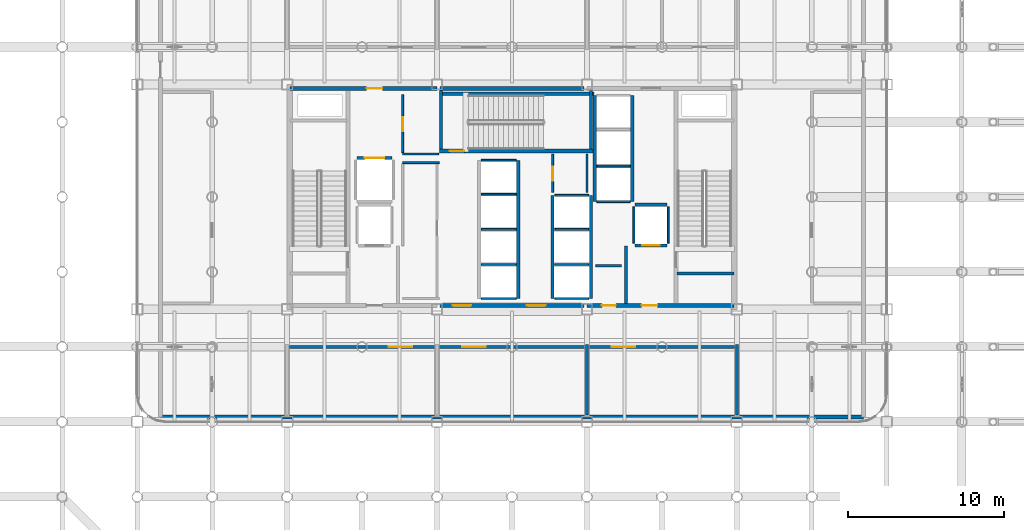
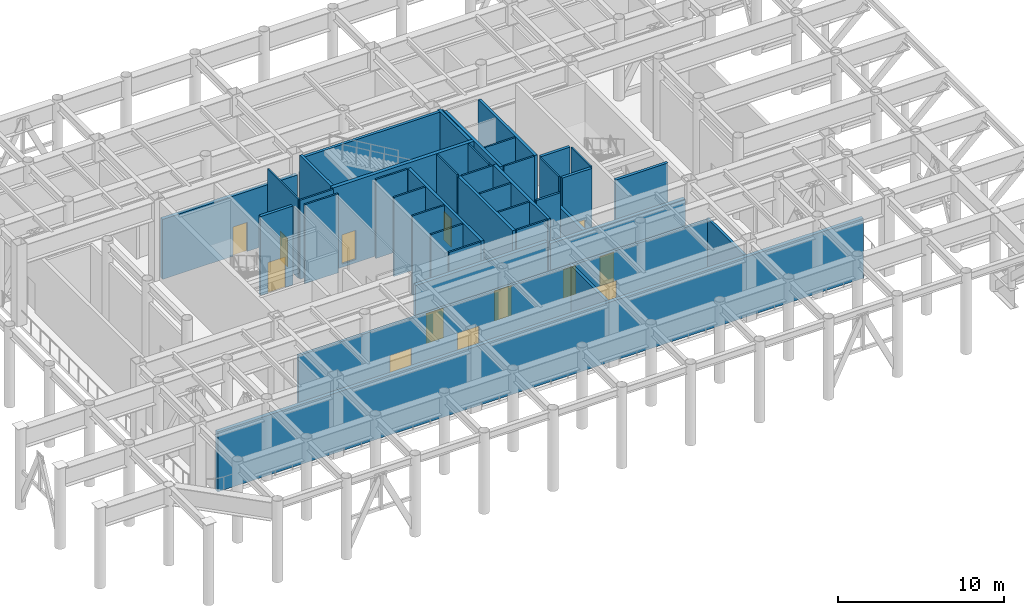
# One storey, part 15 of 20: 41 walls, 13 doors, 13 openings.
"""IFC4 building model written with IfcOpenShell, lengths in metres."""

from ifc_helpers import new_model, si_unit, direction, frame, frame_2d, origin, place, context, subcontext, project, spatial, rectangle, extrude, material, layer, layer_set, type_object, element, fill, save


model = new_model("IFC4")

# Units and contexts
model_context = context("Model", 3, precision=1e-05, world=origin(), true_north=direction((0.0, 1.0)))
body_context = subcontext(model_context, "Body", "Model", "MODEL_VIEW")
ifc_project = project(units=[si_unit("LENGTHUNIT", "METRE"), si_unit("AREAUNIT", "SQUARE_METRE"), si_unit("VOLUMEUNIT", "CUBIC_METRE"), si_unit("PLANEANGLEUNIT", "RADIAN"), si_unit("MASSUNIT", "GRAM", prefix="KILO")], contexts=[model_context])

# Site, building, storey
site_placement = place(None, origin())
site = spatial("IfcSite", under=ifc_project, at=site_placement, CompositionType="ELEMENT")
building_placement = place(site_placement, origin())
building = spatial("IfcBuilding", under=site, at=building_placement, Name="Kallvorn Hotel Tower", CompositionType="ELEMENT")
storey_placement = place(building_placement, frame((0.0, 0.0, 185.5)))
storey = spatial("IfcBuildingStorey", under=building, at=storey_placement, Name="L46", CompositionType="ELEMENT", Elevation=185.5)

# Wall, openings, doors
ifc_material_1 = material(Name="Fire-rated double-layer acoustic gypsum drywall EI 60")
ifc_layer_1 = layer(ifc_material_1, 0.179931640625)
ifc_layer_set_1 = layer_set([ifc_layer_1], Name="WL_CORR_180")
wall_type_1 = type_object("IfcWallType", Name="WL_CORR_180", PredefinedType="PARTITIONING", material=ifc_layer_set_1)
wall_1_placement = place(storey_placement, frame((-14.25, -9.60009765625, 0.0), z_axis=(0.0, 0.0, 1.0), x_axis=(1.0, 0.0, 0.0)))
wall_1 = element("IfcWall", 1, at=wall_1_placement, inside=storey, type_object=wall_type_1, Name="L46 L46 Pressurised Fire Refuge Area South Partition", PredefinedType="PARTITIONING", context=body_context, shape_type="SweptSolid", body=[
    extrude(rectangle(XDim=28.5, YDim=0.179931640625, at=frame_2d((14.25, 0.0))), origin(), (0.0, 0.0, 1.0), 4.419921875),
])
opening_1_placement = place(wall_1_placement, frame((6.35400390625, 0.0, 0.0)))
opening_1 = element("IfcOpeningElement", 2, at=opening_1_placement, cuts=wall_1, Name="Opening PD1", PredefinedType="OPENING", context=body_context, shape_type="SweptSolid", body=[
    extrude(rectangle(XDim=1.5, YDim=2.199951171875, at=frame_2d((0.75, 1.10009765625))), frame((0.0, 0.104736328125, 0.0), z_axis=(0.0, -1.0, 0.0), x_axis=(1.0, 0.0, 0.0)), (0.0, 0.0, 1.0), 0.2099609375),
])
opening_2_placement = place(wall_1_placement, frame((11.056396484375, 0.0, 0.0)))
opening_2 = element("IfcOpeningElement", 3, at=opening_2_placement, cuts=wall_1, Name="Opening PD1", PredefinedType="OPENING", context=body_context, shape_type="SweptSolid", body=[
    extrude(rectangle(XDim=1.5, YDim=2.199951171875, at=frame_2d((0.75, 1.10009765625))), frame((0.0, 0.104736328125, 0.0), z_axis=(0.0, -1.0, 0.0), x_axis=(1.0, 0.0, 0.0)), (0.0, 0.0, 1.0), 0.2099609375),
])
opening_3_placement = place(wall_1_placement, frame((20.64599609375, 0.0, 0.0)))
opening_3 = element("IfcOpeningElement", 4, at=opening_3_placement, cuts=wall_1, Name="Opening PD1", PredefinedType="OPENING", context=body_context, shape_type="SweptSolid", body=[
    extrude(rectangle(XDim=1.5, YDim=2.199951171875, at=frame_2d((0.75, 1.10009765625))), frame((0.0, 0.104736328125, 0.0), z_axis=(0.0, -1.0, 0.0), x_axis=(1.0, 0.0, 0.0)), (0.0, 0.0, 1.0), 0.2099609375),
])
ifc_material_2 = material(Name="Galvanised painted steel fire-rated door assembly", Category="steel")
door_type_1 = type_object("IfcDoorType", Name="DR_PLANT_1500x2200", OperationType="DOUBLE_DOOR_SINGLE_SWING", PredefinedType="DOOR", material=ifc_material_2)
door_1_placement = place(opening_1_placement, origin())
door_1 = element("IfcDoor", 5, at=door_1_placement, inside=storey, type_object=door_type_1, Name="L46 L46 Pressurised Fire Refuge Area South Door", OperationType="DOUBLE_DOOR_SINGLE_SWING", OverallHeight=2.199951171875, OverallWidth=1.5, PredefinedType="DOOR", context=body_context, shape_type="SweptSolid", body=[
    extrude(rectangle(XDim=1.5, YDim=2.199951171875, at=frame_2d((0.75, 1.10009765625))), frame((0.0, 0.02490234375, 0.0), z_axis=(0.0, -1.0, 0.0), x_axis=(1.0, 0.0, 0.0)), (0.0, 0.0, 1.0), 0.050048828125),
])
fill(opening_1, door_1)
door_2_placement = place(opening_2_placement, origin())
door_2 = element("IfcDoor", 6, at=door_2_placement, inside=storey, type_object=door_type_1, Name="L46 L46 Air Handling and Ventilation Fan Plant Door", OperationType="DOUBLE_DOOR_SINGLE_SWING", OverallHeight=2.199951171875, OverallWidth=1.5, PredefinedType="DOOR", context=body_context, shape_type="SweptSolid", body=[
    extrude(rectangle(XDim=1.5, YDim=2.199951171875, at=frame_2d((0.75, 1.10009765625))), frame((0.0, 0.02490234375, 0.0), z_axis=(0.0, -1.0, 0.0), x_axis=(1.0, 0.0, 0.0)), (0.0, 0.0, 1.0), 0.050048828125),
])
fill(opening_2, door_2)
door_3_placement = place(opening_3_placement, origin())
door_3 = element("IfcDoor", 7, at=door_3_placement, inside=storey, type_object=door_type_1, Name="L46 L46 Chilled-Water Heat Exchanger Plant Door", OperationType="DOUBLE_DOOR_SINGLE_SWING", OverallHeight=2.199951171875, OverallWidth=1.5, PredefinedType="DOOR", context=body_context, shape_type="SweptSolid", body=[
    extrude(rectangle(XDim=1.5, YDim=2.199951171875, at=frame_2d((0.75, 1.10009765625))), frame((0.0, 0.02490234375, 0.0), z_axis=(0.0, -1.0, 0.0), x_axis=(1.0, 0.0, 0.0)), (0.0, 0.0, 1.0), 0.050048828125),
])
fill(opening_3, door_3)

# Walls
for number, where, z_axis, x_axis, name in (
    (8, (4.800048828125, -13.945068359375, 0.0), (0.0, 0.0, 1.0), (0.0, 1.0, 0.0), "L46 L46 Air Handling and Ventilation Fan Plant Partition"),
    (9, (14.39990234375, -13.945068359375, 0.0), (0.0, 0.0, 1.0), (0.0, 1.0, 0.0), "L46 L46 Chilled-Water Heat Exchanger Plant Partition"),
):
    element("IfcWall", number, at=place(storey_placement, frame(where, z_axis=z_axis, x_axis=x_axis)), inside=storey, type_object=wall_type_1, Name=name, PredefinedType="PARTITIONING", context=body_context, shape_type="SweptSolid", body=[
        extrude(rectangle(XDim=4.4951171875, YDim=0.179931640625, at=frame_2d((2.24755859375, 0.0))), origin(), (0.0, 0.0, 1.0), 4.419921875),
    ])
ifc_material_3 = material(Name="Precast basalt-clad insulated concrete wall C40/50", Category="masonry")
ifc_layer_2 = layer(ifc_material_3, 0.25)
ifc_layer_set_2 = layer_set([ifc_layer_2], Name="WL_EXT_HUB_250")
wall_type_2 = type_object("IfcWallType", Name="WL_EXT_HUB_250", PredefinedType="SOLIDWALL", material=ifc_layer_set_2)
wall_2_placement = place(storey_placement, frame((22.5, -14.080078125, 0.0), z_axis=(0.0, 0.0, 1.0), x_axis=(-1.0, 0.0, 0.0)))
element("IfcWall", 10, at=wall_2_placement, inside=storey, type_object=wall_type_2, Name="L46 Wind-Hub Acoustic Enclosure Wall S", PredefinedType="SOLIDWALL", context=body_context, shape_type="SweptSolid", body=[
    extrude(rectangle(XDim=45.0, YDim=0.25, at=frame_2d((22.5, 0.0))), origin(), (0.0, 0.0, 1.0), 4.419921875),
])
ifc_material_4 = material(Name="Concrete C40/50", Category="concrete")
ifc_layer_3 = layer(ifc_material_4, 0.219970703125)
ifc_layer_set_3 = layer_set([ifc_layer_3], Name="WL_FFL_220")
wall_type_3 = type_object("IfcWallType", Name="WL_FFL_220", PredefinedType="SOLIDWALL", material=ifc_layer_set_3)
wall_3_placement = place(storey_placement, frame((7.300048828125, -6.820068359375, 0.0), z_axis=(0.0, 0.0, 1.0), x_axis=(0.0, 1.0, 0.0)))
element("IfcWall", 11, at=wall_3_placement, inside=storey, type_object=wall_type_3, Name="L46 Firefighting Lobby East Divider Wall", PredefinedType="SOLIDWALL", context=body_context, shape_type="SweptSolid", body=[
    extrude(rectangle(XDim=3.670166015625, YDim=0.219970703125, at=frame_2d((1.8349609375, 0.0))), origin(), (0.0, 0.0, 1.0), 4.419921875),
])
ifc_material_5 = material(Name="Concrete C40/50", Category="concrete")
ifc_layer_4 = layer(ifc_material_5, 0.199951171875)
ifc_layer_set_4 = layer_set([ifc_layer_4], Name="WL_HOIST_200")
wall_type_4 = type_object("IfcWallType", Name="WL_HOIST_200", PredefinedType="SOLIDWALL", material=ifc_layer_set_4)
wall_4_placement = place(storey_placement, frame((10.550048828125, -4.89990234375, -0.25), z_axis=(0.0, 0.0, 1.0), x_axis=(1.0, 0.0, 0.0)))
element("IfcWall", 12, at=wall_4_placement, inside=storey, type_object=wall_type_4, Name="L46 Stair ST2 South Wall", PredefinedType="SOLIDWALL", context=body_context, shape_type="SweptSolid", body=[
    extrude(rectangle(XDim=3.64990234375, YDim=0.199951171875, at=frame_2d((1.824951171875, 0.0))), origin(), (0.0, 0.0, 1.0), 6.070068359375),
])
wall_5_placement = place(storey_placement, frame((-4.64990234375, 6.610107421875, -0.25), z_axis=(0.0, 0.0, 1.0), x_axis=(1.0, 0.0, 0.0)))
element("IfcWall", 13, at=wall_5_placement, inside=storey, type_object=wall_type_4, Name="L46 Stair ST3 Shaft North Wall", PredefinedType="SOLIDWALL", context=body_context, shape_type="SweptSolid", body=[
    extrude(rectangle(XDim=9.89990234375, YDim=0.199951171875, at=frame_2d((4.949951171875, 0.0))), origin(), (0.0, 0.0, 1.0), 6.070068359375),
])
for number, where, z_axis, x_axis, name in (
    (14, (-4.550048828125, 3.080078125, -0.25), (0.0, 0.0, 1.0), (0.0, 1.0, 0.0), "L46 Stair ST3 West Wall"),
    (15, (5.06005859375, 3.080078125, -0.25), (0.0, 0.0, 1.0), (0.0, 1.0, 0.0), "L46 Stair ST3 East Wall"),
):
    element("IfcWall", number, at=place(storey_placement, frame(where, z_axis=z_axis, x_axis=x_axis)), inside=storey, type_object=wall_type_4, Name=name, PredefinedType="SOLIDWALL", context=body_context, shape_type="SweptSolid", body=[
        extrude(rectangle(XDim=3.739990234375, YDim=0.199951171875, at=frame_2d((1.8701171875, 0.0))), origin(), (0.0, 0.0, 1.0), 6.070068359375),
    ])
wall_6_placement = place(storey_placement, frame((0.39990234375, -6.5, 0.0), z_axis=(0.0, 0.0, 1.0), x_axis=(0.0, 1.0, 0.0)))
element("IfcWall", 16, at=wall_6_placement, inside=storey, type_object=wall_type_4, Name="L46 Lift Bank B2 Rear Shaft Wall", PredefinedType="SOLIDWALL", context=body_context, shape_type="SweptSolid", body=[
    extrude(rectangle(XDim=8.85009765625, YDim=0.199951171875, at=frame_2d((4.425048828125, 0.0))), origin(), (0.0, 0.0, 1.0), 5.820068359375),
])
for number, where, z_axis, x_axis, name in (
    (17, (2.60009765625, -6.5, 0.0), (0.0, 0.0, 1.0), (0.0, 1.0, 0.0), "L46 Lift Bank B3A Landing Wall"),
    (18, (5.050048828125, -6.5, 0.0), (0.0, 0.0, 1.0), (0.0, 1.0, 0.0), "L46 Lift Bank B3A Rear Shaft Wall"),
):
    element("IfcWall", number, at=place(storey_placement, frame(where, z_axis=z_axis, x_axis=x_axis)), inside=storey, type_object=wall_type_4, Name=name, PredefinedType="SOLIDWALL", context=body_context, shape_type="SweptSolid", body=[
        extrude(rectangle(XDim=6.60009765625, YDim=0.199951171875, at=frame_2d((3.300048828125, 0.0))), origin(), (0.0, 0.0, 1.0), 5.820068359375),
    ])
for number, where, z_axis, x_axis, name in (
    (19, (7.699951171875, -0.300048828125, 0.0), (0.0, 0.0, 1.0), (0.0, 1.0, 0.0), "L46 Lift Bank OBS Landing Wall"),
    (20, (5.300048828125, -0.300048828125, 0.0), (0.0, 0.0, 1.0), (0.0, 1.0, 0.0), "L46 Lift Bank OBS Rear Shaft Wall"),
):
    element("IfcWall", number, at=place(storey_placement, frame(where, z_axis=z_axis, x_axis=x_axis)), inside=storey, type_object=wall_type_4, Name=name, PredefinedType="SOLIDWALL", context=body_context, shape_type="SweptSolid", body=[
        extrude(rectangle(XDim=6.800048828125, YDim=0.199951171875, at=frame_2d((3.39990234375, 0.0))), origin(), (0.0, 0.0, 1.0), 5.820068359375),
    ])

# Wall, opening, door
wall_7_placement = place(storey_placement, frame((7.8798828125, -3.10009765625, 0.0), z_axis=(0.0, 0.0, 1.0), x_axis=(1.0, 0.0, 0.0)))
wall_7 = element("IfcWall", 21, at=wall_7_placement, inside=storey, type_object=wall_type_4, Name="L46 FL-2 Landing Wall", PredefinedType="SOLIDWALL", context=body_context, shape_type="SweptSolid", body=[
    extrude(rectangle(XDim=2.0400390625, YDim=0.199951171875, at=frame_2d((1.02001953125, 0.0))), origin(), (0.0, 0.0, 1.0), 5.820068359375),
])
opening_4_placement = place(wall_7_placement, frame((0.469970703125, 0.0, 0.0)))
opening_4 = element("IfcOpeningElement", 22, at=opening_4_placement, cuts=wall_7, Name="Opening LD-FL-2", PredefinedType="OPENING", context=body_context, shape_type="SweptSolid", body=[
    extrude(rectangle(XDim=1.10009765625, YDim=2.199951171875, at=frame_2d((0.550048828125, 1.10009765625))), frame((0.0, 0.114990234375, 0.0), z_axis=(0.0, -1.0, 0.0), x_axis=(1.0, 0.0, 0.0)), (0.0, 0.0, 1.0), 0.22998046875),
])
ifc_material_6 = material(Name="Brushed stainless-steel automatic sliding lift landing door", Category="steel")
door_type_2 = type_object("IfcDoorType", Name="LD_PASS_1100x2200", OperationType="SLIDING_TO_LEFT", PredefinedType="DOOR", material=ifc_material_6)
door_4_placement = place(opening_4_placement, origin())
door_4 = element("IfcDoor", 23, at=door_4_placement, inside=storey, type_object=door_type_2, Name="L46 Lift Landing Sliding Door LD-FL-2", OperationType="SLIDING_TO_LEFT", OverallHeight=2.199951171875, OverallWidth=1.10009765625, PredefinedType="DOOR", context=body_context, shape_type="SweptSolid", body=[
    extrude(rectangle(XDim=1.10009765625, YDim=2.199951171875, at=frame_2d((0.550048828125, 1.10009765625))), frame((0.0, 0.02490234375, 0.0), z_axis=(0.0, -1.0, 0.0), x_axis=(1.0, 0.0, 0.0)), (0.0, 0.0, 1.0), 0.050048828125),
])
fill(opening_4, door_4)

# Wall
wall_8_placement = place(storey_placement, frame((7.8798828125, -0.5, 0.0), z_axis=(0.0, 0.0, 1.0), x_axis=(1.0, 0.0, 0.0)))
element("IfcWall", 24, at=wall_8_placement, inside=storey, type_object=wall_type_4, Name="L46 FL-2 Rear Shaft Wall", PredefinedType="SOLIDWALL", context=body_context, shape_type="SweptSolid", body=[
    extrude(rectangle(XDim=2.0400390625, YDim=0.199951171875, at=frame_2d((1.02001953125, 0.0))), origin(), (0.0, 0.0, 1.0), 5.820068359375),
])

# Wall, opening, door
wall_9_placement = place(storey_placement, frame((-9.919921875, 2.5, 0.0), z_axis=(0.0, 0.0, 1.0), x_axis=(1.0, 0.0, 0.0)))
wall_9 = element("IfcWall", 25, at=wall_9_placement, inside=storey, type_object=wall_type_4, Name="L46 SV-01 Landing Wall", PredefinedType="SOLIDWALL", context=body_context, shape_type="SweptSolid", body=[
    extrude(rectangle(XDim=2.239990234375, YDim=0.199951171875, at=frame_2d((1.1201171875, 0.0))), origin(), (0.0, 0.0, 1.0), 5.820068359375),
])
opening_5_placement = place(wall_9_placement, frame((0.4951171875, 0.0, 0.0)))
opening_5 = element("IfcOpeningElement", 26, at=opening_5_placement, cuts=wall_9, Name="Opening LD-SV-01", PredefinedType="OPENING", context=body_context, shape_type="SweptSolid", body=[
    extrude(rectangle(XDim=1.25, YDim=2.25, at=frame_2d((0.625, 1.125))), frame((0.0, 0.114990234375, 0.0), z_axis=(0.0, -1.0, 0.0), x_axis=(1.0, 0.0, 0.0)), (0.0, 0.0, 1.0), 0.22998046875),
])
ifc_material_7 = material(Name="Brushed stainless-steel automatic sliding lift landing door", Category="steel")
door_type_3 = type_object("IfcDoorType", Name="LD_SERV_1250x2250", OperationType="SLIDING_TO_LEFT", PredefinedType="DOOR", material=ifc_material_7)
door_5_placement = place(opening_5_placement, origin())
door_5 = element("IfcDoor", 27, at=door_5_placement, inside=storey, type_object=door_type_3, Name="L46 Lift Landing Sliding Door LD-SV-01", OperationType="SLIDING_TO_LEFT", OverallHeight=2.25, OverallWidth=1.25, PredefinedType="DOOR", context=body_context, shape_type="SweptSolid", body=[
    extrude(rectangle(XDim=1.25, YDim=2.25, at=frame_2d((0.625, 1.125))), frame((0.0, 0.02490234375, 0.0), z_axis=(0.0, -1.0, 0.0), x_axis=(1.0, 0.0, 0.0)), (0.0, 0.0, 1.0), 0.050048828125),
])
fill(opening_5, door_5)

# Walls
ifc_material_8 = material(Name="Fire-rated double-layer acoustic gypsum drywall EI 60")
ifc_layer_5 = layer(ifc_material_8, 0.1201171875)
ifc_layer_set_5 = layer_set([ifc_layer_5], Name="WL_INT_120")
wall_type_5 = type_object("IfcWallType", Name="WL_INT_120", PredefinedType="PARTITIONING", material=ifc_layer_set_5)
for number, where, z_axis, x_axis, name in (
    (28, (-1.9599609375, -6.5, 0.0), (0.0, 0.0, 1.0), (1.0, 0.0, 0.0), "L46 Lift Bank B2 South Closure Wall"),
    (29, (-1.9599609375, -4.324951171875, 0.0), (0.0, 0.0, 1.0), (1.0, 0.0, 0.0), "L46 PL-05 Hoistway Divider"),
    (30, (-1.9599609375, -2.074951171875, 0.0), (0.0, 0.0, 1.0), (1.0, 0.0, 0.0), "L46 PL-06 Hoistway Divider"),
    (31, (-1.9599609375, 0.175048828125, 0.0), (0.0, 0.0, 1.0), (1.0, 0.0, 0.0), "L46 PL-07 Hoistway Divider"),
    (32, (-1.9599609375, 2.35009765625, 0.0), (0.0, 0.0, 1.0), (1.0, 0.0, 0.0), "L46 PL-08 Hoistway Divider"),
):
    element("IfcWall", number, at=place(storey_placement, frame(where, z_axis=z_axis, x_axis=x_axis)), inside=storey, type_object=wall_type_5, Name=name, PredefinedType="PARTITIONING", context=body_context, shape_type="SweptSolid", body=[
        extrude(rectangle(XDim=2.219970703125, YDim=0.1201171875, at=frame_2d((1.10986328125, 0.0))), origin(), (0.0, 0.0, 1.0), 5.820068359375),
    ])
for number, where, z_axis, x_axis, name in (
    (33, (2.739990234375, -6.5, 0.0), (0.0, 0.0, 1.0), (1.0, 0.0, 0.0), "L46 Lift Bank B3A South Closure Wall"),
    (34, (2.739990234375, -4.324951171875, 0.0), (0.0, 0.0, 1.0), (1.0, 0.0, 0.0), "L46 PL-09 Hoistway Divider"),
    (35, (2.739990234375, -2.074951171875, 0.0), (0.0, 0.0, 1.0), (1.0, 0.0, 0.0), "L46 PL-10 Hoistway Divider"),
    (36, (2.739990234375, 0.10009765625, 0.0), (0.0, 0.0, 1.0), (1.0, 0.0, 0.0), "L46 PL-11 Hoistway Divider"),
):
    element("IfcWall", number, at=place(storey_placement, frame(where, z_axis=z_axis, x_axis=x_axis)), inside=storey, type_object=wall_type_5, Name=name, PredefinedType="PARTITIONING", context=body_context, shape_type="SweptSolid", body=[
        extrude(rectangle(XDim=2.169921875, YDim=0.1201171875, at=frame_2d((1.0849609375, 0.0))), origin(), (0.0, 0.0, 1.0), 5.820068359375),
    ])
for number, where, z_axis, x_axis, name in (
    (37, (5.43994140625, -0.300048828125, 0.0), (0.0, 0.0, 1.0), (1.0, 0.0, 0.0), "L46 Lift Bank OBS South Closure Wall"),
    (38, (5.43994140625, 1.97509765625, 0.0), (0.0, 0.0, 1.0), (1.0, 0.0, 0.0), "L46 OB-01 Hoistway Divider"),
):
    element("IfcWall", number, at=place(storey_placement, frame(where, z_axis=z_axis, x_axis=x_axis)), inside=storey, type_object=wall_type_5, Name=name, PredefinedType="PARTITIONING", context=body_context, shape_type="SweptSolid", body=[
        extrude(rectangle(XDim=2.1201171875, YDim=0.1201171875, at=frame_2d((1.06005859375, 0.0))), origin(), (0.0, 0.0, 1.0), 5.820068359375),
    ])
for number, where, z_axis, x_axis, name in (
    (39, (7.800048828125, -2.9599609375, 0.0), (0.0, 0.0, 1.0), (0.0, 1.0, 0.0), "L46 FL-2 West Shaft Wall"),
    (40, (10.0, -2.9599609375, 0.0), (0.0, 0.0, 1.0), (0.0, 1.0, 0.0), "L46 FL-2 East Shaft Wall"),
):
    element("IfcWall", number, at=place(storey_placement, frame(where, z_axis=z_axis, x_axis=x_axis)), inside=storey, type_object=wall_type_5, Name=name, PredefinedType="PARTITIONING", context=body_context, shape_type="SweptSolid", body=[
        extrude(rectangle(XDim=2.320068359375, YDim=0.1201171875, at=frame_2d((1.16015625, 0.0))), origin(), (0.0, 0.0, 1.0), 5.820068359375),
    ])
wall_10_placement = place(storey_placement, frame((-7.0, 2.199951171875, 0.0), z_axis=(0.0, 0.0, 1.0), x_axis=(1.0, 0.0, 0.0)))
element("IfcWall", 41, at=wall_10_placement, inside=storey, type_object=wall_type_5, Name="L46 Recaptured Butler and Room-Service Pantry Partition", PredefinedType="PARTITIONING", context=body_context, shape_type="SweptSolid", body=[
    extrude(rectangle(XDim=2.35009765625, YDim=0.1201171875, at=frame_2d((1.175048828125, 0.0))), origin(), (0.0, 0.0, 1.0), 5.820068359375),
])
wall_11_placement = place(storey_placement, frame((-7.0, 2.75, 0.0), z_axis=(0.0, 0.0, 1.0), x_axis=(1.0, 0.0, 0.0)))
element("IfcWall", 42, at=wall_11_placement, inside=storey, type_object=wall_type_5, Name="L46 Recaptured Valet and Linen Reserve Store Partition", PredefinedType="PARTITIONING", context=body_context, shape_type="SweptSolid", body=[
    extrude(rectangle(XDim=2.31005859375, YDim=0.1201171875, at=frame_2d((1.155029296875, 0.0))), origin(), (0.0, 0.0, 1.0), 5.820068359375),
])

# Wall, opening, door
wall_12_placement = place(storey_placement, frame((-7.0, 2.8349609375, 0.0), z_axis=(0.0, 0.0, 1.0), x_axis=(0.0, 1.0, 0.0)))
wall_12 = element("IfcWall", 43, at=wall_12_placement, inside=storey, type_object=wall_type_5, Name="L46 Recaptured Valet and Linen Reserve Store Partition", PredefinedType="PARTITIONING", context=body_context, shape_type="SweptSolid", body=[
    extrude(rectangle(XDim=3.715087890625, YDim=0.1201171875, at=frame_2d((1.857421875, 0.0))), origin(), (0.0, 0.0, 1.0), 5.820068359375),
])
opening_6_placement = place(wall_12_placement, frame((1.364990234375, 0.0, 0.0)))
opening_6 = element("IfcOpeningElement", 44, at=opening_6_placement, cuts=wall_12, Name="Opening SVD1", PredefinedType="OPENING", context=body_context, shape_type="SweptSolid", body=[
    extrude(rectangle(XDim=0.89990234375, YDim=2.10009765625, at=frame_2d((0.449951171875, 1.050048828125))), frame((0.0, 0.074951171875, 0.0), z_axis=(0.0, -1.0, 0.0), x_axis=(1.0, 0.0, 0.0)), (0.0, 0.0, 1.0), 0.150146484375),
])
ifc_material_9 = material(Name="Galvanised painted steel fire-rated door assembly", Category="steel")
door_type_4 = type_object("IfcDoorType", Name="DR_SERV_900x2100", OperationType="NOTDEFINED", PredefinedType="DOOR", material=ifc_material_9)
door_6_placement = place(opening_6_placement, origin())
door_6 = element("IfcDoor", 45, at=door_6_placement, inside=storey, type_object=door_type_4, Name="L46 Recaptured Valet and Linen Reserve Store Door", OperationType="SINGLE_SWING_RIGHT", OverallHeight=2.10009765625, OverallWidth=0.89990234375, PredefinedType="DOOR", context=body_context, shape_type="SweptSolid", body=[
    extrude(rectangle(XDim=0.89990234375, YDim=2.10009765625, at=frame_2d((0.449951171875, 1.050048828125))), frame((0.0, 0.02490234375, 0.0), z_axis=(0.0, -1.0, 0.0), x_axis=(1.0, 0.0, 0.0)), (0.0, 0.0, 1.0), 0.050048828125),
])
fill(opening_6, door_6)

wall_13_placement = place(storey_placement, frame((2.60009765625, 0.300048828125, 0.0), z_axis=(0.0, 0.0, 1.0), x_axis=(0.0, 1.0, 0.0)))
wall_13 = element("IfcWall", 46, at=wall_13_placement, inside=storey, type_object=wall_type_5, Name="L46 East Core Janitor Room Partition", PredefinedType="PARTITIONING", context=body_context, shape_type="SweptSolid", body=[
    extrude(rectangle(XDim=2.449951171875, YDim=0.1201171875, at=frame_2d((1.22509765625, 0.0))), origin(), (0.0, 0.0, 1.0), 5.820068359375),
])
opening_7_placement = place(wall_13_placement, frame((0.75, 0.0, 0.0)))
opening_7 = element("IfcOpeningElement", 47, at=opening_7_placement, cuts=wall_13, Name="Opening SVD1", PredefinedType="OPENING", context=body_context, shape_type="SweptSolid", body=[
    extrude(rectangle(XDim=0.89990234375, YDim=2.10009765625, at=frame_2d((0.449951171875, 1.050048828125))), frame((0.0, 0.074951171875, 0.0), z_axis=(0.0, -1.0, 0.0), x_axis=(1.0, 0.0, 0.0)), (0.0, 0.0, 1.0), 0.150146484375),
])
door_7_placement = place(opening_7_placement, origin())
door_7 = element("IfcDoor", 48, at=door_7_placement, inside=storey, type_object=door_type_4, Name="L46 East Core Janitor Room Door", OperationType="SINGLE_SWING_RIGHT", OverallHeight=2.10009765625, OverallWidth=0.89990234375, PredefinedType="DOOR", context=body_context, shape_type="SweptSolid", body=[
    extrude(rectangle(XDim=0.89990234375, YDim=2.10009765625, at=frame_2d((0.449951171875, 1.050048828125))), frame((0.0, 0.02490234375, 0.0), z_axis=(0.0, -1.0, 0.0), x_axis=(1.0, 0.0, 0.0)), (0.0, 0.0, 1.0), 0.050048828125),
])
fill(opening_7, door_7)

# Walls
wall_14_placement = place(storey_placement, frame((4.800048828125, 0.300048828125, 0.0), z_axis=(0.0, 0.0, 1.0), x_axis=(0.0, 1.0, 0.0)))
element("IfcWall", 49, at=wall_14_placement, inside=storey, type_object=wall_type_5, Name="L46 East Core Janitor Room Partition", PredefinedType="PARTITIONING", context=body_context, shape_type="SweptSolid", body=[
    extrude(rectangle(XDim=2.449951171875, YDim=0.1201171875, at=frame_2d((1.22509765625, 0.0))), origin(), (0.0, 0.0, 1.0), 5.820068359375),
])
ifc_material_10 = material(Name="Moisture-resistant acoustic plumbing chase wall EI 60")
ifc_layer_6 = layer(ifc_material_10, 0.139892578125)
ifc_layer_set_6 = layer_set([ifc_layer_6], Name="WL_PLUMB_140")
wall_type_6 = type_object("IfcWallType", Name="WL_PLUMB_140", PredefinedType="PLUMBINGWALL", material=ifc_layer_set_6)
wall_15_placement = place(storey_placement, frame((5.35009765625, -4.39990234375, 0.0), z_axis=(0.0, 0.0, 1.0), x_axis=(1.0, 0.0, 0.0)))
element("IfcWall", 50, at=wall_15_placement, inside=storey, type_object=wall_type_6, Name="L46 Core Staff Restroom WC Partition", PredefinedType="PLUMBINGWALL", context=body_context, shape_type="SweptSolid", body=[
    extrude(rectangle(XDim=1.64990234375, YDim=0.139892578125, at=frame_2d((0.824951171875, 0.0))), origin(), (0.0, 0.0, 1.0), 5.820068359375),
])

# Wall, openings, doors
ifc_material_11 = material(Name="Concrete C40/50", Category="concrete")
ifc_layer_7 = layer(ifc_material_11, 0.25)
ifc_layer_set_7 = layer_set([ifc_layer_7], Name="WL_SHAFT_250")
wall_type_7 = type_object("IfcWallType", Name="WL_SHAFT_250", PredefinedType="SOLIDWALL", material=ifc_layer_set_7)
wall_16_placement = place(storey_placement, frame((-4.60009765625, -6.949951171875, 0.0), z_axis=(0.0, 0.0, 1.0), x_axis=(1.0, 0.0, 0.0)))
wall_16 = element("IfcWall", 51, at=wall_16_placement, inside=storey, type_object=wall_type_7, Name="L46 Core South-Central Wall", PredefinedType="SOLIDWALL", context=body_context, shape_type="SweptSolid", body=[
    extrude(rectangle(XDim=9.2001953125, YDim=0.25, at=frame_2d((4.60009765625, 0.0))), origin(), (0.0, 0.0, 1.0), 4.6201171875),
])
opening_8_placement = place(wall_16_placement, frame((0.800048828125, 0.0, 0.0)))
opening_8 = element("IfcOpeningElement", 52, at=opening_8_placement, cuts=wall_16, Name="Opening FD2", PredefinedType="OPENING", context=body_context, shape_type="SweptSolid", body=[
    extrude(rectangle(XDim=1.199951171875, YDim=2.199951171875, at=frame_2d((0.60009765625, 1.10009765625))), frame((0.0, 0.139892578125, 0.0), z_axis=(0.0, -1.0, 0.0), x_axis=(1.0, 0.0, 0.0)), (0.0, 0.0, 1.0), 0.280029296875),
])
opening_9_placement = place(wall_16_placement, frame((5.550048828125, 0.0, 0.0)))
opening_9 = element("IfcOpeningElement", 53, at=opening_9_placement, cuts=wall_16, Name="Opening FD2", PredefinedType="OPENING", context=body_context, shape_type="SweptSolid", body=[
    extrude(rectangle(XDim=1.199951171875, YDim=2.199951171875, at=frame_2d((0.60009765625, 1.10009765625))), frame((0.0, 0.139892578125, 0.0), z_axis=(0.0, -1.0, 0.0), x_axis=(1.0, 0.0, 0.0)), (0.0, 0.0, 1.0), 0.280029296875),
])
ifc_material_12 = material(Name="Galvanised painted steel fire-rated door assembly", Category="steel")
door_type_5 = type_object("IfcDoorType", Name="DR_LOBBY_1200x2200", OperationType="DOUBLE_DOOR_SINGLE_SWING", PredefinedType="DOOR", material=ifc_material_12)
door_8_placement = place(opening_8_placement, origin())
door_8 = element("IfcDoor", 54, at=door_8_placement, inside=storey, type_object=door_type_5, Name="L46 West Passenger Lift Lobby Door", OperationType="DOUBLE_DOOR_SINGLE_SWING", OverallHeight=2.199951171875, OverallWidth=1.199951171875, PredefinedType="DOOR", context=body_context, shape_type="SweptSolid", body=[
    extrude(rectangle(XDim=1.199951171875, YDim=2.199951171875, at=frame_2d((0.60009765625, 1.10009765625))), frame((0.0, 0.02490234375, 0.0), z_axis=(0.0, -1.0, 0.0), x_axis=(1.0, 0.0, 0.0)), (0.0, 0.0, 1.0), 0.050048828125),
])
fill(opening_8, door_8)
door_9_placement = place(opening_9_placement, origin())
door_9 = element("IfcDoor", 55, at=door_9_placement, inside=storey, type_object=door_type_5, Name="L46 East Passenger Lift Lobby Door", OperationType="DOUBLE_DOOR_SINGLE_SWING", OverallHeight=2.199951171875, OverallWidth=1.199951171875, PredefinedType="DOOR", context=body_context, shape_type="SweptSolid", body=[
    extrude(rectangle(XDim=1.199951171875, YDim=2.199951171875, at=frame_2d((0.60009765625, 1.10009765625))), frame((0.0, 0.02490234375, 0.0), z_axis=(0.0, -1.0, 0.0), x_axis=(1.0, 0.0, 0.0)), (0.0, 0.0, 1.0), 0.050048828125),
])
fill(opening_9, door_9)

wall_17_placement = place(storey_placement, frame((4.800048828125, -6.949951171875, 0.0), z_axis=(0.0, 0.0, 1.0), x_axis=(1.0, 0.0, 0.0)))
wall_17 = element("IfcWall", 56, at=wall_17_placement, inside=storey, type_object=wall_type_7, Name="L46 Core South-East Wall", PredefinedType="SOLIDWALL", context=body_context, shape_type="SweptSolid", body=[
    extrude(rectangle(XDim=9.39990234375, YDim=0.25, at=frame_2d((4.699951171875, 0.0))), origin(), (0.0, 0.0, 1.0), 4.419921875),
])
opening_10_placement = place(wall_17_placement, frame((3.5, 0.0, 0.0)))
opening_10 = element("IfcOpeningElement", 57, at=opening_10_placement, cuts=wall_17, Name="Opening FD1", PredefinedType="OPENING", context=body_context, shape_type="SweptSolid", body=[
    extrude(rectangle(XDim=1.0, YDim=2.14990234375, at=frame_2d((0.5, 1.074951171875))), frame((0.0, 0.139892578125, 0.0), z_axis=(0.0, -1.0, 0.0), x_axis=(1.0, 0.0, 0.0)), (0.0, 0.0, 1.0), 0.280029296875),
])
opening_11_placement = place(wall_17_placement, frame((0.949951171875, 0.0, 0.0)))
opening_11 = element("IfcOpeningElement", 58, at=opening_11_placement, cuts=wall_17, Name="Opening SVD1", PredefinedType="OPENING", context=body_context, shape_type="SweptSolid", body=[
    extrude(rectangle(XDim=0.89990234375, YDim=2.10009765625, at=frame_2d((0.449951171875, 1.050048828125))), frame((0.0, 0.139892578125, 0.0), z_axis=(0.0, -1.0, 0.0), x_axis=(1.0, 0.0, 0.0)), (0.0, 0.0, 1.0), 0.280029296875),
])
ifc_material_13 = material(Name="Galvanised painted steel fire-rated door assembly", Category="steel")
door_type_6 = type_object("IfcDoorType", Name="DR_FFL_1000x2150", OperationType="NOTDEFINED", PredefinedType="DOOR", material=ifc_material_13)
door_10_placement = place(opening_10_placement, origin())
door_10 = element("IfcDoor", 59, at=door_10_placement, inside=storey, type_object=door_type_6, Name="L46 Firefighting Lobby East Door", OperationType="SINGLE_SWING_LEFT", OverallHeight=2.14990234375, OverallWidth=1.0, PredefinedType="DOOR", context=body_context, shape_type="SweptSolid", body=[
    extrude(rectangle(XDim=1.0, YDim=2.14990234375, at=frame_2d((0.5, 1.074951171875))), frame((0.0, 0.02490234375, 0.0), z_axis=(0.0, -1.0, 0.0), x_axis=(1.0, 0.0, 0.0)), (0.0, 0.0, 1.0), 0.050048828125),
])
fill(opening_10, door_10)
door_11_placement = place(opening_11_placement, origin())
door_11 = element("IfcDoor", 60, at=door_11_placement, inside=storey, type_object=door_type_4, Name="L46 Core Staff Restroom WC Door", OperationType="SINGLE_SWING_RIGHT", OverallHeight=2.10009765625, OverallWidth=0.89990234375, PredefinedType="DOOR", context=body_context, shape_type="SweptSolid", body=[
    extrude(rectangle(XDim=0.89990234375, YDim=2.10009765625, at=frame_2d((0.449951171875, 1.050048828125))), frame((0.0, 0.02490234375, 0.0), z_axis=(0.0, -1.0, 0.0), x_axis=(1.0, 0.0, 0.0)), (0.0, 0.0, 1.0), 0.050048828125),
])
fill(opening_11, door_11)

# Wall, opening, door
wall_18_placement = place(storey_placement, frame((-14.199951171875, 6.949951171875, 0.0), z_axis=(0.0, 0.0, 1.0), x_axis=(1.0, 0.0, 0.0)))
wall_18 = element("IfcWall", 61, at=wall_18_placement, inside=storey, type_object=wall_type_7, Name="L46 Core North-West Wall", PredefinedType="SOLIDWALL", context=body_context, shape_type="SweptSolid", body=[
    extrude(rectangle(XDim=9.39990234375, YDim=0.25, at=frame_2d((4.699951171875, 0.0))), origin(), (0.0, 0.0, 1.0), 4.419921875),
])
opening_12_placement = place(wall_18_placement, frame((4.89990234375, 0.0, 0.0)))
opening_12 = element("IfcOpeningElement", 62, at=opening_12_placement, cuts=wall_18, Name="Opening FD1", PredefinedType="OPENING", context=body_context, shape_type="SweptSolid", body=[
    extrude(rectangle(XDim=1.0, YDim=2.14990234375, at=frame_2d((0.5, 1.074951171875))), frame((0.0, 0.139892578125, 0.0), z_axis=(0.0, -1.0, 0.0), x_axis=(1.0, 0.0, 0.0)), (0.0, 0.0, 1.0), 0.280029296875),
])
door_12_placement = place(opening_12_placement, origin())
door_12 = element("IfcDoor", 63, at=door_12_placement, inside=storey, type_object=door_type_6, Name="L46 Service Lift Lobby Door", OperationType="SINGLE_SWING_LEFT", OverallHeight=2.14990234375, OverallWidth=1.0, PredefinedType="DOOR", context=body_context, shape_type="SweptSolid", body=[
    extrude(rectangle(XDim=1.0, YDim=2.14990234375, at=frame_2d((0.5, 1.074951171875))), frame((0.0, 0.02490234375, 0.0), z_axis=(0.0, -1.0, 0.0), x_axis=(1.0, 0.0, 0.0)), (0.0, 0.0, 1.0), 0.050048828125),
])
fill(opening_12, door_12)

# Wall
wall_19_placement = place(storey_placement, frame((-4.60009765625, 6.949951171875, 0.0), z_axis=(0.0, 0.0, 1.0), x_axis=(1.0, 0.0, 0.0)))
element("IfcWall", 64, at=wall_19_placement, inside=storey, type_object=wall_type_7, Name="L46 Core North-Central Wall", PredefinedType="SOLIDWALL", context=body_context, shape_type="SweptSolid", body=[
    extrude(rectangle(XDim=9.2001953125, YDim=0.25, at=frame_2d((4.60009765625, 0.0))), origin(), (0.0, 0.0, 1.0), 4.419921875),
])

# Wall, opening, door
wall_20_placement = place(storey_placement, frame((-4.64990234375, 2.949951171875, -0.25), z_axis=(0.0, 0.0, 1.0), x_axis=(1.0, 0.0, 0.0)))
wall_20 = element("IfcWall", 65, at=wall_20_placement, inside=storey, type_object=wall_type_7, Name="L46 Stair ST3 Shaft South Wall", PredefinedType="SOLIDWALL", context=body_context, shape_type="SweptSolid", body=[
    extrude(rectangle(XDim=9.89990234375, YDim=0.25, at=frame_2d((4.949951171875, 0.0))), origin(), (0.0, 0.0, 1.0), 6.070068359375),
])
opening_13_placement = place(wall_20_placement, frame((0.64990234375, 0.0, 0.25)))
opening_13 = element("IfcOpeningElement", 66, at=opening_13_placement, cuts=wall_20, Name="Opening SD1", PredefinedType="OPENING", context=body_context, shape_type="SweptSolid", body=[
    extrude(rectangle(XDim=0.949951171875, YDim=2.14990234375, at=frame_2d((0.47509765625, 1.074951171875))), frame((0.0, 0.139892578125, 0.0), z_axis=(0.0, -1.0, 0.0), x_axis=(1.0, 0.0, 0.0)), (0.0, 0.0, 1.0), 0.280029296875),
])
ifc_material_14 = material(Name="Galvanised painted steel fire-rated door assembly", Category="steel")
door_type_7 = type_object("IfcDoorType", Name="DR_STAIR_950x2150", OperationType="NOTDEFINED", PredefinedType="DOOR", material=ifc_material_14)
door_13_placement = place(opening_13_placement, origin())
door_13 = element("IfcDoor", 67, at=door_13_placement, inside=storey, type_object=door_type_7, Name="L46 Exit Stair ST3 Fire Door", OperationType="SINGLE_SWING_LEFT", OverallHeight=2.14990234375, OverallWidth=0.949951171875, PredefinedType="DOOR", context=body_context, shape_type="SweptSolid", body=[
    extrude(rectangle(XDim=0.949951171875, YDim=2.14990234375, at=frame_2d((0.47509765625, 1.074951171875))), frame((0.0, 0.02490234375, 0.0), z_axis=(0.0, -1.0, 0.0), x_axis=(1.0, 0.0, 0.0)), (0.0, 0.0, 1.0), 0.050048828125),
])
fill(opening_13, door_13)

save(model, "model.ifc")
